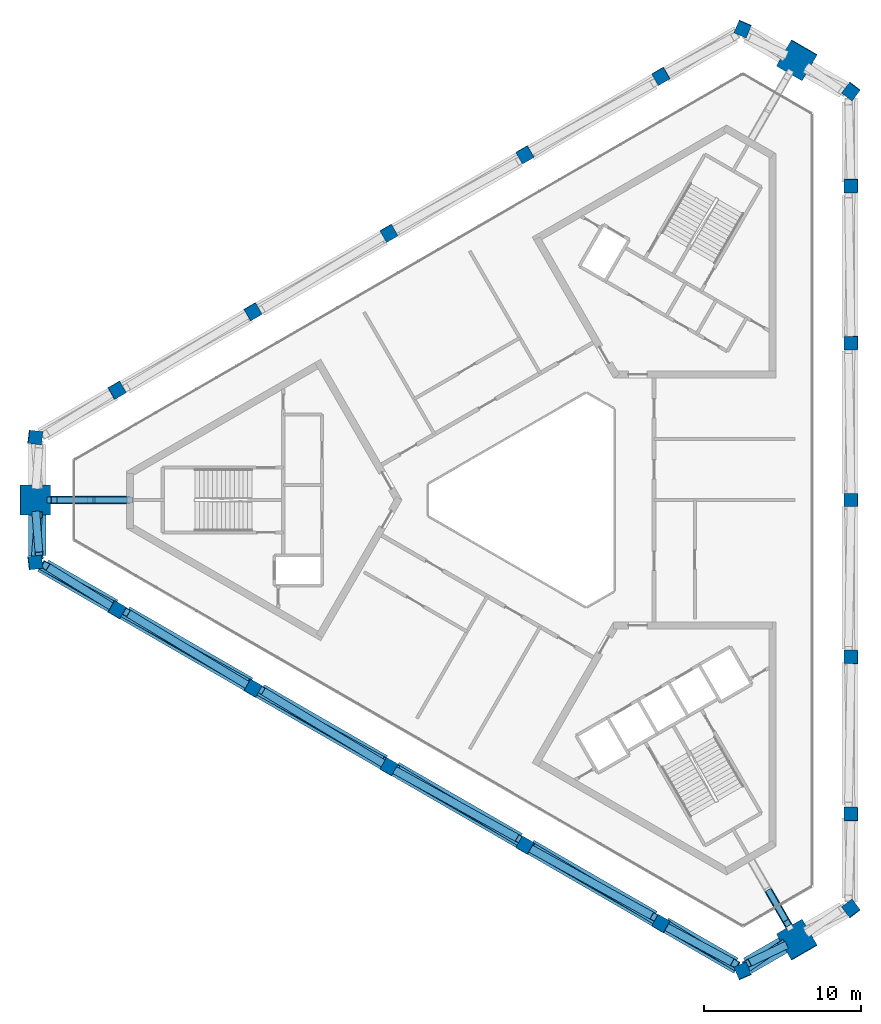
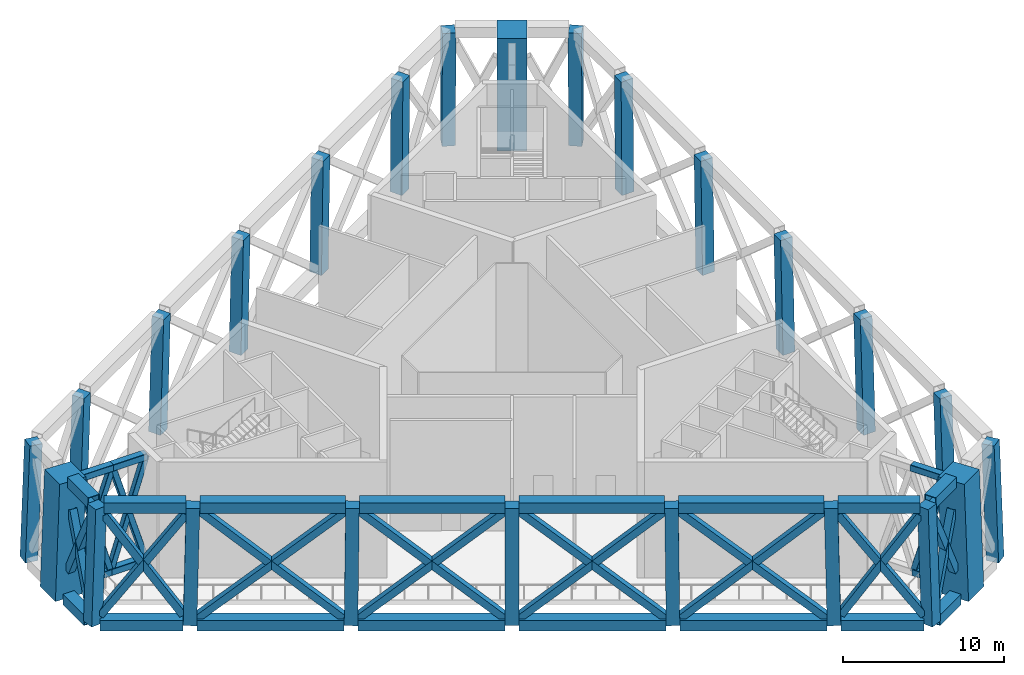
# One storey, part 1 of 8: 43 members, 24 columns.
"""IFC4 building model written with IfcOpenShell, lengths in metres."""

from ifc_helpers import new_model, si_unit, direction, frame, origin, origin_2d, place, context, subcontext, project, spatial, rectangle, hollow_rectangle, extrude, material, material_profile, profile_set, type_object, element, save


model = new_model("IFC4")

# Units and contexts
model_context = context("Model", 3, precision=1e-05, world=origin(), true_north=direction((0.0, 1.0)))
body_context = subcontext(model_context, "Body", "Model", "MODEL_VIEW")
ifc_project = project(units=[si_unit("LENGTHUNIT", "METRE"), si_unit("AREAUNIT", "SQUARE_METRE"), si_unit("VOLUMEUNIT", "CUBIC_METRE"), si_unit("PLANEANGLEUNIT", "RADIAN"), si_unit("MASSUNIT", "GRAM", prefix="KILO")], contexts=[model_context])

# Site, building, storey
site_placement = place(None, origin())
site = spatial("IfcSite", under=ifc_project, at=site_placement, CompositionType="ELEMENT")
building_placement = place(site_placement, origin())
building = spatial("IfcBuilding", under=site, at=building_placement, Name="Jabali Bay Hotel Tower and Convention Centre", CompositionType="ELEMENT")
storey_placement = place(building_placement, frame((0.0, 0.0, 246.5)))
storey = spatial("IfcBuildingStorey", under=building, at=storey_placement, Name="L61", CompositionType="ELEMENT", Elevation=246.5)

# Columns
ifc_material_1 = material(Name="Concrete C60", Category="concrete")
ifc_material_profile_1 = material_profile(ifc_material_1, rectangle(XDim=0.85009765625, YDim=0.85009765625, at=origin_2d()), Name="Frame column 850")
ifc_profile_set_1 = profile_set([ifc_material_profile_1], Name="Concrete C60")
column_type_1 = type_object("IfcColumnType", Name="Frame column 850", PredefinedType="COLUMN", material=ifc_profile_set_1)
column_1_placement = place(storey_placement, frame((82.534912109375, 107.07373046875, 0.0), z_axis=(-0.008374802331, -0.02814710055, 0.999568708702), x_axis=(0.865902471611, 0.499757980356, 0.021327698613)))
element("IfcColumn", 1, at=column_1_placement, inside=storey, type_object=column_type_1, Name="FC5 F1.1 L61", PredefinedType="COLUMN", context=body_context, shape_type="SweptSolid", body=[
    extrude(rectangle(XDim=0.85009765625, YDim=0.85009765625, at=origin_2d()), origin(), (0.0, 0.0, 1.0), 8.803955078125),
])
column_2_placement = place(storey_placement, frame((73.84765625, 102.05810546875, 0.0), z_axis=(0.0008598122, -0.022798891243, 0.999739701763), x_axis=(0.865987255057, 0.499952509757, 0.010656550371)))
element("IfcColumn", 2, at=column_2_placement, inside=storey, type_object=column_type_1, Name="FC5 F1.2 L61", PredefinedType="COLUMN", context=body_context, shape_type="SweptSolid", body=[
    extrude(rectangle(XDim=0.85009765625, YDim=0.85009765625, at=origin_2d()), origin(), (0.0, 0.0, 1.0), 8.80224609375),
])
column_3_placement = place(storey_placement, frame((65.160400390625, 97.04248046875, 0.0), z_axis=(0.010096431238, -0.017474592527, 0.999796329605), x_axis=(-0.500171958309, 0.865690887565, 0.020181657705)))
element("IfcColumn", 3, at=column_3_placement, inside=storey, type_object=column_type_1, Name="FC5 F1.3 L61", PredefinedType="COLUMN", context=body_context, shape_type="SweptSolid", body=[
    extrude(rectangle(XDim=0.85009765625, YDim=0.85009765625, at=origin_2d()), origin(), (0.0, 0.0, 1.0), 8.8017578125),
])
column_4_placement = place(storey_placement, frame((56.47314453125, 92.027099609375, 0.0), z_axis=(0.01933189907, -0.012148309602, 0.999739314148), x_axis=(-0.499946657419, 0.865820862871, 0.020188441064)))
element("IfcColumn", 4, at=column_4_placement, inside=storey, type_object=column_type_1, Name="FC5 F1.4 L61", PredefinedType="COLUMN", context=body_context, shape_type="SweptSolid", body=[
    extrude(rectangle(XDim=0.85009765625, YDim=0.85009765625, at=origin_2d()), origin(), (0.0, 0.0, 1.0), 8.80224609375),
])
for number, where, z_axis, x_axis, name in (
    (5, (47.785888671875, 87.011474609375, 0.0), (0.028563067696, -0.006821858887, 0.999568713699), (-0.499619448247, 0.866009748921, 0.020187166873), "FC5 F1.5 L61"),
    (6, (47.785888671875, 72.988525390625, 0.0), (0.028563067696, 0.006821858887, 0.999568713699), (-0.865773964783, 0.499980576638, 0.021327561711), "FC5 F2.1 L61"),
):
    element("IfcColumn", number, at=place(storey_placement, frame(where, z_axis=z_axis, x_axis=x_axis)), inside=storey, type_object=column_type_1, Name=name, PredefinedType="COLUMN", context=body_context, shape_type="SweptSolid", body=[
        extrude(rectangle(XDim=0.85009765625, YDim=0.85009765625, at=origin_2d()), origin(), (0.0, 0.0, 1.0), 8.803955078125),
    ])
column_5_placement = place(storey_placement, frame((56.47314453125, 67.972900390625, 0.0), z_axis=(0.01933189907, 0.012148309602, 0.999739314148), x_axis=(-0.865840411054, 0.500206609303, 0.010664454755)))
element("IfcColumn", 7, at=column_5_placement, inside=storey, type_object=column_type_1, Name="FC5 F2.2 L61", PredefinedType="COLUMN", context=body_context, shape_type="SweptSolid", body=[
    extrude(rectangle(XDim=0.85009765625, YDim=0.85009765625, at=origin_2d()), origin(), (0.0, 0.0, 1.0), 8.80224609375),
])
column_6_placement = place(storey_placement, frame((65.160400390625, 62.95751953125, 0.0), z_axis=(0.010096431238, 0.017474592527, 0.999796329605), x_axis=(-0.865867238205, 0.500273850809, 8.7355e-08)))
element("IfcColumn", 8, at=column_6_placement, inside=storey, type_object=column_type_1, Name="FC5 F2.3 L61", PredefinedType="COLUMN", context=body_context, shape_type="SweptSolid", body=[
    extrude(rectangle(XDim=0.85009765625, YDim=0.85009765625, at=origin_2d()), origin(), (0.0, 0.0, 1.0), 8.8017578125),
])
column_7_placement = place(storey_placement, frame((73.84765625, 57.94189453125, 0.0), z_axis=(0.0008598122, 0.022798891243, 0.999739701763), x_axis=(-0.500065330533, -0.86575267747, 0.020173414513)))
element("IfcColumn", 9, at=column_7_placement, inside=storey, type_object=column_type_1, Name="FC5 F2.4 L61", PredefinedType="COLUMN", context=body_context, shape_type="SweptSolid", body=[
    extrude(rectangle(XDim=0.85009765625, YDim=0.85009765625, at=origin_2d()), origin(), (0.0, 0.0, 1.0), 8.80224609375),
])
for number, where, z_axis, x_axis, name in (
    (10, (82.534912109375, 52.92626953125, 0.0), (-0.008374802331, 0.02814710055, 0.999568708702), (-0.500142751965, -0.865707630671, 0.020187269636), "FC5 F2.5 L61"),
    (11, (94.67919921875, 59.937744140625, 0.0), (-0.020188265874, 0.021325242386, 0.999568740987), (-0.000134843786, -0.999772547412, 0.021326867046), "FC5 F0.1 L61"),
):
    element("IfcColumn", number, at=place(storey_placement, frame(where, z_axis=z_axis, x_axis=x_axis)), inside=storey, type_object=column_type_1, Name=name, PredefinedType="COLUMN", context=body_context, shape_type="SweptSolid", body=[
        extrude(rectangle(XDim=0.85009765625, YDim=0.85009765625, at=origin_2d()), origin(), (0.0, 0.0, 1.0), 8.803955078125),
    ])
column_8_placement = place(storey_placement, frame((94.67919921875, 69.96875, 0.0), z_axis=(-0.020191706618, 0.010678306385, 0.999739100344), x_axis=(-0.000575814257, -0.99994292037, 0.010668853699)))
element("IfcColumn", 12, at=column_8_placement, inside=storey, type_object=column_type_1, Name="FC5 F0.2 L61", PredefinedType="COLUMN", context=body_context, shape_type="SweptSolid", body=[
    extrude(rectangle(XDim=0.85009765625, YDim=0.85009765625, at=origin_2d()), origin(), (0.0, 0.0, 1.0), 8.80224609375),
])
column_9_placement = place(storey_placement, frame((94.67919921875, 80.0, 0.0), z_axis=(-0.020192857909, 0.0, 0.999796103458), x_axis=(0.0, -1.0, 0.0)))
element("IfcColumn", 13, at=column_9_placement, inside=storey, type_object=column_type_1, Name="FC5 F0.3 L61", PredefinedType="COLUMN", context=body_context, shape_type="SweptSolid", body=[
    extrude(rectangle(XDim=0.85009765625, YDim=0.85009765625, at=origin_2d()), origin(), (0.0, 0.0, 1.0), 8.8017578125),
])
column_10_placement = place(storey_placement, frame((94.67919921875, 90.03125, 0.0), z_axis=(-0.020191706618, -0.010678306385, 0.999739100344), x_axis=(0.999795960895, 0.000360241664, 0.020196702804)))
element("IfcColumn", 14, at=column_10_placement, inside=storey, type_object=column_type_1, Name="FC5 F0.4 L61", PredefinedType="COLUMN", context=body_context, shape_type="SweptSolid", body=[
    extrude(rectangle(XDim=0.85009765625, YDim=0.85009765625, at=origin_2d()), origin(), (0.0, 0.0, 1.0), 8.80224609375),
])
column_11_placement = place(storey_placement, frame((94.67919921875, 100.062255859375, 0.0), z_axis=(-0.020188265874, -0.021325242386, 0.999568740987), x_axis=(0.999796187099, -0.000295766828, 0.020186549577)))
element("IfcColumn", 15, at=column_11_placement, inside=storey, type_object=column_type_1, Name="FC5 F0.5 L61", PredefinedType="COLUMN", context=body_context, shape_type="SweptSolid", body=[
    extrude(rectangle(XDim=0.85009765625, YDim=0.85009765625, at=origin_2d()), origin(), (0.0, 0.0, 1.0), 8.803955078125),
])
for number, where, z_axis, x_axis, name in (
    (16, (94.67919921875, 53.898193359375, 0.0), (-0.020184364346, 0.029001160859, 0.999375567094), (-0.798381371358, -0.602150617228, 0.001349088841), "FC5 V0 L61"),
    (17, (94.67919921875, 106.101806640625, 0.0), (-0.020184364346, -0.029001160859, 0.999375567094), (0.60181373971, 0.797855605258, 0.035308014027), "FC5 V1 L61"),
    (18, (87.76513671875, 110.093505859375, 0.0), (-0.015027375513, -0.031967830196, 0.999375923173), (0.920569077031, -0.390577464171, 0.001348664823), "FC5 V2 L61"),
    (19, (42.5556640625, 83.99169921875, 0.0), (0.035211731134, -0.002966657663, 0.999375471448), (-0.991915578341, 0.121887812095, 0.035310716615), "FC5 V3 L61"),
    (20, (42.5556640625, 76.00830078125, 0.0), (0.035211731134, 0.002966657663, 0.999375471448), (-0.121916444484, 0.992539450201, 0.001349206917), "FC5 V4 L61"),
    (21, (87.76513671875, 49.906494140625, 0.0), (-0.015027375513, 0.031967830196, 0.999375923173), (0.390290599939, -0.920014838095, 0.035297950159), "FC5 V5 L61"),
):
    element("IfcColumn", number, at=place(storey_placement, frame(where, z_axis=z_axis, x_axis=x_axis)), inside=storey, type_object=column_type_1, Name=name, PredefinedType="COLUMN", context=body_context, shape_type="SweptSolid", body=[
        extrude(rectangle(XDim=0.85009765625, YDim=0.85009765625, at=origin_2d()), origin(), (0.0, 0.0, 1.0), 8.8056640625),
    ])
ifc_material_2 = material(Name="Concrete C70", Category="concrete")
ifc_material_profile_2 = material_profile(ifc_material_2, rectangle(XDim=1.89990234375, YDim=1.89990234375, at=origin_2d()), Name="Mega column 1900")
ifc_profile_set_2 = profile_set([ifc_material_profile_2], Name="Concrete C70")
column_type_2 = type_object("IfcColumnType", Name="Mega column 1900", PredefinedType="COLUMN", material=ifc_profile_set_2)
for number, where, z_axis, x_axis, name in (
    (22, (91.22216796875, 108.09765625, 0.0), (-0.017605940844, -0.030498480201, 0.999379744418), (0.499639989425, 0.865517044615, 0.035215429113), "MC5 M1 L61"),
    (23, (42.5556640625, 80.0, 0.0), (0.035211886086, 0.0, 0.999379869258), (0.0, 1.0, 0.0), "MC5 M0 L61"),
    (24, (91.22216796875, 51.90234375, 0.0), (-0.017605940844, 0.030498480201, 0.999379744418), (-0.866054219904, -0.499950085695, 1.8439e-08), "MC5 M2 L61"),
):
    element("IfcColumn", number, at=place(storey_placement, frame(where, z_axis=z_axis, x_axis=x_axis)), inside=storey, type_object=column_type_2, Name=name, PredefinedType="COLUMN", context=body_context, shape_type="SweptSolid", body=[
        extrude(rectangle(XDim=1.89990234375, YDim=1.89990234375, at=origin_2d()), origin(), (0.0, 0.0, 1.0), 8.805419921875),
    ])

# Members
ifc_material_3 = material(Name="Steel Q420GJC", Category="steel")
ifc_material_profile_3 = material_profile(ifc_material_3, hollow_rectangle(XDim=0.5, YDim=0.5, WallThickness=0.030029296875, at=origin_2d()), Name="Belt brace 500x500x30")
ifc_profile_set_3 = profile_set([ifc_material_profile_3], Name="Steel Q420GJC")
member_type_1 = type_object("IfcMemberType", Name="Belt brace 500x500x30", PredefinedType="BRACE", material=ifc_profile_set_3)
member_1_placement = place(storey_placement, frame((42.629638671875, 79.052978515625, 2.101806640625), z_axis=(0.032106794787, -0.410626973528, 0.911237972398), x_axis=(0.996957131511, 0.077951766681, 0.0)))
element("IfcMember", 25, at=member_1_placement, inside=storey, type_object=member_type_1, Name="Belt brace T5 M0-V4 x1", PredefinedType="BRACE", context=body_context, shape_type="SweptSolid", body=[
    extrude(hollow_rectangle(XDim=0.5, YDim=0.5, WallThickness=0.030029296875, at=origin_2d()), origin(), (0.0, 0.0, 1.0), 6.31884765625),
])
member_2_placement = place(storey_placement, frame((42.588623046875, 76.431884765625, 0.93408203125), z_axis=(0.032076559205, 0.412879931728, 0.910220443808), x_axis=(-0.996995740309, 0.077456399387, 0.0)))
element("IfcMember", 26, at=member_2_placement, inside=storey, type_object=member_type_1, Name="Belt brace T5 M0-V4 x2", PredefinedType="BRACE", context=body_context, shape_type="SweptSolid", body=[
    extrude(hollow_rectangle(XDim=0.5, YDim=0.5, WallThickness=0.030029296875, at=origin_2d()), origin(), (0.0, 0.0, 1.0), 6.34765625),
])
member_3_placement = place(storey_placement, frame((42.9296875, 75.806396484375, 0.600341796875), z_axis=(0.50840519823, -0.274511012444, 0.816191067373), x_axis=(0.475111669279, 0.879925509185, 0.0)))
element("IfcMember", 27, at=member_3_placement, inside=storey, type_object=member_type_1, Name="Belt brace T5 V4-F2.1 x1", PredefinedType="BRACE", context=body_context, shape_type="SweptSolid", body=[
    extrude(hollow_rectangle(XDim=0.5, YDim=0.5, WallThickness=0.030029296875, at=origin_2d()), origin(), (0.0, 0.0, 1.0), 9.310791015625),
])
member_4_placement = place(storey_placement, frame((47.424560546875, 73.212158203125, 0.646240234375), z_axis=(-0.467153142955, 0.289209448823, 0.835539248473), x_axis=(-0.526380151701, -0.850249337486, 0.0)))
element("IfcMember", 28, at=member_4_placement, inside=storey, type_object=member_type_1, Name="Belt brace T5 V4-F2.1 x2", PredefinedType="BRACE", context=body_context, shape_type="SweptSolid", body=[
    extrude(hollow_rectangle(XDim=0.5, YDim=0.5, WallThickness=0.030029296875, at=origin_2d()), origin(), (0.0, 0.0, 1.0), 8.9853515625),
])
member_5_placement = place(storey_placement, frame((48.15771484375, 72.782470703125, 0.369384765625), z_axis=(0.660208909059, -0.365882159446, 0.655937833791), x_axis=(0.484730960449, 0.874663304353, 0.0)))
element("IfcMember", 29, at=member_5_placement, inside=storey, type_object=member_type_1, Name="Belt brace T5 F2.1-F2.2 x1", PredefinedType="BRACE", context=body_context, shape_type="SweptSolid", body=[
    extrude(hollow_rectangle(XDim=0.5, YDim=0.5, WallThickness=0.030029296875, at=origin_2d()), origin(), (0.0, 0.0, 1.0), 12.289794921875),
])
member_6_placement = place(storey_placement, frame((56.109130859375, 68.192138671875, 0.3798828125), z_axis=(-0.638851655852, 0.384363267382, 0.666433372891), x_axis=(-0.515533156982, -0.856869630721, 0.0)))
element("IfcMember", 30, at=member_6_placement, inside=storey, type_object=member_type_1, Name="Belt brace T5 F2.1-F2.2 x2", PredefinedType="BRACE", context=body_context, shape_type="SweptSolid", body=[
    extrude(hollow_rectangle(XDim=0.5, YDim=0.5, WallThickness=0.030029296875, at=origin_2d()), origin(), (0.0, 0.0, 1.0), 12.064697265625),
])
member_7_placement = place(storey_placement, frame((56.844970703125, 67.76708984375, 0.372802734375), z_axis=(0.657611695837, -0.364313801405, 0.65941057893), x_axis=(0.484599676243, 0.874736048065, 0.0)))
element("IfcMember", 31, at=member_7_placement, inside=storey, type_object=member_type_1, Name="Belt brace T5 F2.2-F2.3 x1", PredefinedType="BRACE", context=body_context, shape_type="SweptSolid", body=[
    extrude(hollow_rectangle(XDim=0.5, YDim=0.5, WallThickness=0.030029296875, at=origin_2d()), origin(), (0.0, 0.0, 1.0), 12.214599609375),
])
member_8_placement = place(storey_placement, frame((64.796142578125, 63.176513671875, 0.376220703125), z_axis=(-0.641595044555, 0.385878130521, 0.662913167156), x_axis=(-0.515400084535, -0.856949679305, 0.0)))
element("IfcMember", 32, at=member_8_placement, inside=storey, type_object=member_type_1, Name="Belt brace T5 F2.2-F2.3 x2", PredefinedType="BRACE", context=body_context, shape_type="SweptSolid", body=[
    extrude(hollow_rectangle(XDim=0.5, YDim=0.5, WallThickness=0.030029296875, at=origin_2d()), origin(), (0.0, 0.0, 1.0), 12.139404296875),
])
member_9_placement = place(storey_placement, frame((65.5322265625, 62.75146484375, 0.376220703125), z_axis=(0.654981674463, -0.362705554499, 0.662905488628), x_axis=(0.484445116606, 0.874821655537, 0.0)))
element("IfcMember", 33, at=member_9_placement, inside=storey, type_object=member_type_1, Name="Belt brace T5 F2.3-F2.4 x1", PredefinedType="BRACE", context=body_context, shape_type="SweptSolid", body=[
    extrude(hollow_rectangle(XDim=0.5, YDim=0.5, WallThickness=0.030029296875, at=origin_2d()), origin(), (0.0, 0.0, 1.0), 12.1396484375),
])
member_10_placement = place(storey_placement, frame((73.4833984375, 58.160888671875, 0.372802734375), z_axis=(-0.644302497004, 0.387361017277, 0.659413174458), x_axis=(-0.515257976218, -0.857035132269, 0.0)))
element("IfcMember", 34, at=member_10_placement, inside=storey, type_object=member_type_1, Name="Belt brace T5 F2.3-F2.4 x2", PredefinedType="BRACE", context=body_context, shape_type="SweptSolid", body=[
    extrude(hollow_rectangle(XDim=0.5, YDim=0.5, WallThickness=0.030029296875, at=origin_2d()), origin(), (0.0, 0.0, 1.0), 12.214599609375),
])
member_11_placement = place(storey_placement, frame((74.219482421875, 57.736083984375, 0.3798828125), z_axis=(0.652304487761, -0.36106930278, 0.666429151401), x_axis=(0.484287316852, 0.874909020834, 0.0)))
element("IfcMember", 35, at=member_11_placement, inside=storey, type_object=member_type_1, Name="Belt brace T5 F2.4-F2.5 x1", PredefinedType="BRACE", context=body_context, shape_type="SweptSolid", body=[
    extrude(hollow_rectangle(XDim=0.5, YDim=0.5, WallThickness=0.030029296875, at=origin_2d()), origin(), (0.0, 0.0, 1.0), 12.064697265625),
])
member_12_placement = place(storey_placement, frame((82.170654296875, 53.145263671875, 0.369384765625), z_axis=(-0.646976424027, 0.38880565497, 0.655935720491), x_axis=(-0.515099397878, -0.85713045116, 0.0)))
element("IfcMember", 36, at=member_12_placement, inside=storey, type_object=member_type_1, Name="Belt brace T5 F2.4-F2.5 x2", PredefinedType="BRACE", context=body_context, shape_type="SweptSolid", body=[
    extrude(hollow_rectangle(XDim=0.5, YDim=0.5, WallThickness=0.030029296875, at=origin_2d()), origin(), (0.0, 0.0, 1.0), 12.289794921875),
])
member_13_placement = place(storey_placement, frame((82.909423828125, 52.72509765625, 0.646240234375), z_axis=(0.484027977308, -0.259974160036, 0.835541951847), x_axis=(0.473173550566, 0.880969233881, 0.0)))
element("IfcMember", 37, at=member_13_placement, inside=storey, type_object=member_type_1, Name="Belt brace T5 F2.5-V5 x1", PredefinedType="BRACE", context=body_context, shape_type="SweptSolid", body=[
    extrude(hollow_rectangle(XDim=0.5, YDim=0.5, WallThickness=0.030029296875, at=origin_2d()), origin(), (0.0, 0.0, 1.0), 8.9853515625),
])
member_14_placement = place(storey_placement, frame((87.4033203125, 50.12939453125, 0.600341796875), z_axis=(-0.491933269791, 0.303062988766, 0.81618287345), x_axis=(-0.524517674968, -0.851399558754, 0.0)))
element("IfcMember", 38, at=member_14_placement, inside=storey, type_object=member_type_1, Name="Belt brace T5 F2.5-V5 x2", PredefinedType="BRACE", context=body_context, shape_type="SweptSolid", body=[
    extrude(hollow_rectangle(XDim=0.5, YDim=0.5, WallThickness=0.030029296875, at=origin_2d()), origin(), (0.0, 0.0, 1.0), 9.310791015625),
])
member_15_placement = place(storey_placement, frame((88.11572265625, 50.14697265625, 0.93408203125), z_axis=(0.341535966466, 0.234190596825, 0.910224119637), x_axis=(-0.565519330962, 0.824735040063, 0.0)))
element("IfcMember", 39, at=member_15_placement, inside=storey, type_object=member_type_1, Name="Belt brace T5 V5-M2 x1", PredefinedType="BRACE", context=body_context, shape_type="SweptSolid", body=[
    extrude(hollow_rectangle(XDim=0.5, YDim=0.5, WallThickness=0.030029296875, at=origin_2d()), origin(), (0.0, 0.0, 1.0), 6.34765625),
])
member_16_placement = place(storey_placement, frame((90.364990234375, 51.492919921875, 2.101806640625), z_axis=(-0.371680356969, -0.177494756748, 0.911235053963), x_axis=(0.430930993462, -0.902384884001, 0.0)))
element("IfcMember", 40, at=member_16_placement, inside=storey, type_object=member_type_1, Name="Belt brace T5 V5-M2 x2", PredefinedType="BRACE", context=body_context, shape_type="SweptSolid", body=[
    extrude(hollow_rectangle(XDim=0.5, YDim=0.5, WallThickness=0.030029296875, at=origin_2d()), origin(), (0.0, 0.0, 1.0), 6.31884765625),
])
ifc_material_profile_4 = material_profile(ifc_material_3, hollow_rectangle(XDim=0.800048828125, YDim=0.800048828125, WallThickness=0.0400390625, at=origin_2d()), Name="Belt chord 800x800x40")
ifc_profile_set_4 = profile_set([ifc_material_profile_4], Name="Steel Q420GJC")
member_type_2 = type_object("IfcMemberType", Name="Belt chord 800x800x40", PredefinedType="CHORD", material=ifc_profile_set_4)
member_17_placement = place(storey_placement, frame((42.5556640625, 79.050048828125, 0.0), z_axis=(0.0, -1.0, 0.0), x_axis=(1.0, 0.0, 0.0)))
element("IfcMember", 41, at=member_17_placement, inside=storey, type_object=member_type_2, Name="Belt chord T5 M0-V4", PredefinedType="CHORD", context=body_context, shape_type="SweptSolid", body=[
    extrude(hollow_rectangle(XDim=0.800048828125, YDim=0.800048828125, WallThickness=0.0400390625, at=origin_2d()), origin(), (0.0, 0.0, 1.0), 2.61669921875),
])
member_18_placement = place(storey_placement, frame((42.923828125, 75.795654296875, 0.0), z_axis=(0.866042999663, -0.499969521807, 0.0), x_axis=(0.499969521807, 0.866042999663, 0.0)))
element("IfcMember", 42, at=member_18_placement, inside=storey, type_object=member_type_2, Name="Belt chord T5 V4-F2.1", PredefinedType="CHORD", context=body_context, shape_type="SweptSolid", body=[
    extrude(hollow_rectangle(XDim=0.800048828125, YDim=0.800048828125, WallThickness=0.0400390625, at=origin_2d()), origin(), (0.0, 0.0, 1.0), 5.189208984375),
])
for number, where, z_axis, x_axis, name in (
    (43, (48.154052734375, 72.776123046875, 0.0), (0.866027056866, -0.499997136768, 0.0), (0.499997136768, 0.866027056866, 0.0), "Belt chord T5 F2.1-F2.2"),
    (44, (56.84130859375, 67.760498046875, 0.0), (0.866027056866, -0.499997136768, 0.0), (0.499997136768, 0.866027056866, 0.0), "Belt chord T5 F2.2-F2.3"),
    (45, (65.528564453125, 62.744873046875, 0.0), (0.866027056866, -0.499997136768, 0.0), (0.499997136768, 0.866027056866, 0.0), "Belt chord T5 F2.3-F2.4"),
):
    element("IfcMember", number, at=place(storey_placement, frame(where, z_axis=z_axis, x_axis=x_axis)), inside=storey, type_object=member_type_2, Name=name, PredefinedType="CHORD", context=body_context, shape_type="SweptSolid", body=[
        extrude(hollow_rectangle(XDim=0.800048828125, YDim=0.800048828125, WallThickness=0.0400390625, at=origin_2d()), origin(), (0.0, 0.0, 1.0), 9.18115234375),
    ])
member_19_placement = place(storey_placement, frame((74.2158203125, 57.729248046875, 0.0), z_axis=(0.866020408875, -0.500008651337, 0.0), x_axis=(0.500008651337, 0.866020408875, 0.0)))
element("IfcMember", 46, at=member_19_placement, inside=storey, type_object=member_type_2, Name="Belt chord T5 F2.4-F2.5", PredefinedType="CHORD", context=body_context, shape_type="SweptSolid", body=[
    extrude(hollow_rectangle(XDim=0.800048828125, YDim=0.800048828125, WallThickness=0.0400390625, at=origin_2d()), origin(), (0.0, 0.0, 1.0), 9.180908203125),
])
member_20_placement = place(storey_placement, frame((82.903076171875, 52.7138671875, 0.0), z_axis=(0.866022628259, -0.50000480732, 0.0), x_axis=(0.50000480732, 0.866022628259, 0.0)))
element("IfcMember", 47, at=member_20_placement, inside=storey, type_object=member_type_2, Name="Belt chord T5 F2.5-V5", PredefinedType="CHORD", context=body_context, shape_type="SweptSolid", body=[
    extrude(hollow_rectangle(XDim=0.800048828125, YDim=0.800048828125, WallThickness=0.0400390625, at=origin_2d()), origin(), (0.0, 0.0, 1.0), 5.189453125),
])
member_21_placement = place(storey_placement, frame((88.13330078125, 50.119140625, 0.0), z_axis=(0.86602399778, 0.500002435262, 0.0), x_axis=(-0.500002435262, 0.86602399778, 0.0)))
element("IfcMember", 48, at=member_21_placement, inside=storey, type_object=member_type_2, Name="Belt chord T5 V5-M2", PredefinedType="CHORD", context=body_context, shape_type="SweptSolid", body=[
    extrude(hollow_rectangle(XDim=0.800048828125, YDim=0.800048828125, WallThickness=0.0400390625, at=origin_2d()), origin(), (0.0, 0.0, 1.0), 2.61669921875),
])
member_22_placement = place(storey_placement, frame((42.86572265625, 79.050048828125, 8.800048828125), z_axis=(0.0, -1.0, 0.0), x_axis=(1.0, 0.0, 0.0)))
element("IfcMember", 49, at=member_22_placement, inside=storey, type_object=member_type_2, Name="Belt chord T5 M0-V4", PredefinedType="CHORD", context=body_context, shape_type="SweptSolid", body=[
    extrude(hollow_rectangle(XDim=0.800048828125, YDim=0.800048828125, WallThickness=0.0400390625, at=origin_2d()), origin(), (0.0, 0.0, 1.0), 2.590576171875),
])
member_23_placement = place(storey_placement, frame((43.23388671875, 75.822021484375, 8.800048828125), z_axis=(0.866010948798, -0.500025035936, 0.0), x_axis=(0.500025035936, 0.866010948798, 0.0)))
element("IfcMember", 50, at=member_23_placement, inside=storey, type_object=member_type_2, Name="Belt chord T5 V4-F2.1", PredefinedType="CHORD", context=body_context, shape_type="SweptSolid", body=[
    extrude(hollow_rectangle(XDim=0.800048828125, YDim=0.800048828125, WallThickness=0.0400390625, at=origin_2d()), origin(), (0.0, 0.0, 1.0), 5.121826171875),
])
member_24_placement = place(storey_placement, frame((48.405517578125, 72.836181640625, 8.800048828125), z_axis=(0.86602407674, -0.500002298502, 0.0), x_axis=(0.500002298502, 0.86602407674, 0.0)))
element("IfcMember", 51, at=member_24_placement, inside=storey, type_object=member_type_2, Name="Belt chord T5 F2.1-F2.2", PredefinedType="CHORD", context=body_context, shape_type="SweptSolid", body=[
    extrude(hollow_rectangle(XDim=0.800048828125, YDim=0.800048828125, WallThickness=0.0400390625, at=origin_2d()), origin(), (0.0, 0.0, 1.0), 9.08740234375),
])
member_25_placement = place(storey_placement, frame((57.011474609375, 67.867431640625, 8.800048828125), z_axis=(0.866017359955, -0.500013932063, 0.0), x_axis=(0.500013932063, 0.866017359955, 0.0)))
element("IfcMember", 52, at=member_25_placement, inside=storey, type_object=member_type_2, Name="Belt chord T5 F2.2-F2.3", PredefinedType="CHORD", context=body_context, shape_type="SweptSolid", body=[
    extrude(hollow_rectangle(XDim=0.800048828125, YDim=0.800048828125, WallThickness=0.0400390625, at=origin_2d()), origin(), (0.0, 0.0, 1.0), 9.087158203125),
])
member_26_placement = place(storey_placement, frame((65.617431640625, 62.898681640625, 8.800048828125), z_axis=(0.866028993663, -0.499993782096, 0.0), x_axis=(0.499993782096, 0.866028993663, 0.0)))
element("IfcMember", 53, at=member_26_placement, inside=storey, type_object=member_type_2, Name="Belt chord T5 F2.3-F2.4", PredefinedType="CHORD", context=body_context, shape_type="SweptSolid", body=[
    extrude(hollow_rectangle(XDim=0.800048828125, YDim=0.800048828125, WallThickness=0.0400390625, at=origin_2d()), origin(), (0.0, 0.0, 1.0), 9.0869140625),
])
member_27_placement = place(storey_placement, frame((74.223388671875, 57.93017578125, 8.800048828125), z_axis=(0.866017359955, -0.500013932063, 0.0), x_axis=(0.500013932063, 0.866017359955, 0.0)))
element("IfcMember", 54, at=member_27_placement, inside=storey, type_object=member_type_2, Name="Belt chord T5 F2.4-F2.5", PredefinedType="CHORD", context=body_context, shape_type="SweptSolid", body=[
    extrude(hollow_rectangle(XDim=0.800048828125, YDim=0.800048828125, WallThickness=0.0400390625, at=origin_2d()), origin(), (0.0, 0.0, 1.0), 9.087158203125),
])
member_28_placement = place(storey_placement, frame((82.829345703125, 52.96142578125, 8.800048828125), z_axis=(0.866031589583, -0.49998928573, 0.0), x_axis=(0.49998928573, 0.866031589583, 0.0)))
element("IfcMember", 55, at=member_28_placement, inside=storey, type_object=member_type_2, Name="Belt chord T5 F2.5-V5", PredefinedType="CHORD", context=body_context, shape_type="SweptSolid", body=[
    extrude(hollow_rectangle(XDim=0.800048828125, YDim=0.800048828125, WallThickness=0.0400390625, at=origin_2d()), origin(), (0.0, 0.0, 1.0), 5.12158203125),
])
member_29_placement = place(storey_placement, frame((88.0009765625, 50.400634765625, 8.800048828125), z_axis=(0.866036488581, 0.499980800078, 0.0), x_axis=(-0.499980800078, 0.866036488581, 0.0)))
element("IfcMember", 56, at=member_29_placement, inside=storey, type_object=member_type_2, Name="Belt chord T5 V5-M2", PredefinedType="CHORD", context=body_context, shape_type="SweptSolid", body=[
    extrude(hollow_rectangle(XDim=0.800048828125, YDim=0.800048828125, WallThickness=0.0400390625, at=origin_2d()), origin(), (0.0, 0.0, 1.0), 2.59033203125),
])
ifc_material_profile_5 = material_profile(ifc_material_3, hollow_rectangle(XDim=0.39990234375, YDim=0.39990234375, WallThickness=0.011962890625, InnerFilletRadius=0.01806640625, OuterFilletRadius=0.030029296875, at=origin_2d()), Name="Outrigger brace 400x400x12")
ifc_profile_set_5 = profile_set([ifc_material_profile_5], Name="Steel Q420GJC")
member_type_3 = type_object("IfcMemberType", Name="Outrigger brace 400x400x12", PredefinedType="BRACE", material=ifc_profile_set_5)
member_30_placement = place(storey_placement, frame((48.621826171875, 80.0, 0.25), z_axis=(-0.292295122198, 0.0, 0.956328166237), x_axis=(0.0, -1.0, 0.0)))
element("IfcMember", 57, at=member_30_placement, inside=storey, type_object=member_type_3, Name="Outrigger brace T5 1.1x1", PredefinedType="BRACE", context=body_context, shape_type="SweptSolid", body=[
    extrude(hollow_rectangle(XDim=0.39990234375, YDim=0.39990234375, WallThickness=0.011962890625, InnerFilletRadius=0.01806640625, OuterFilletRadius=0.030029296875, at=origin_2d()), origin(), (0.0, 0.0, 1.0), 8.2607421875),
])
member_31_placement = place(storey_placement, frame((46.068115234375, 80.0, 0.25), z_axis=(0.307586962308, 0.0, 0.951519973841), x_axis=(0.0, 1.0, 0.0)))
element("IfcMember", 58, at=member_31_placement, inside=storey, type_object=member_type_3, Name="Outrigger brace T5 1.1x2", PredefinedType="BRACE", context=body_context, shape_type="SweptSolid", body=[
    extrude(hollow_rectangle(XDim=0.39990234375, YDim=0.39990234375, WallThickness=0.011962890625, InnerFilletRadius=0.01806640625, OuterFilletRadius=0.030029296875, at=origin_2d()), origin(), (0.0, 0.0, 1.0), 8.302490234375),
])
member_32_placement = place(storey_placement, frame((46.068115234375, 80.0, 0.25), z_axis=(-0.276775754721, 0.0, 0.960934535543), x_axis=(0.0, -1.0, 0.0)))
element("IfcMember", 59, at=member_32_placement, inside=storey, type_object=member_type_3, Name="Outrigger brace T5 1.2x1", PredefinedType="BRACE", context=body_context, shape_type="SweptSolid", body=[
    extrude(hollow_rectangle(XDim=0.39990234375, YDim=0.39990234375, WallThickness=0.011962890625, InnerFilletRadius=0.01806640625, OuterFilletRadius=0.030029296875, at=origin_2d()), origin(), (0.0, 0.0, 1.0), 8.220947265625),
])
member_33_placement = place(storey_placement, frame((43.5146484375, 80.0, 0.25), z_axis=(0.322617941391, 0.0, 0.946529272602), x_axis=(0.0, 1.0, 0.0)))
element("IfcMember", 60, at=member_33_placement, inside=storey, type_object=member_type_3, Name="Outrigger brace T5 1.2x2", PredefinedType="BRACE", context=body_context, shape_type="SweptSolid", body=[
    extrude(hollow_rectangle(XDim=0.39990234375, YDim=0.39990234375, WallThickness=0.011962890625, InnerFilletRadius=0.01806640625, OuterFilletRadius=0.030029296875, at=origin_2d()), origin(), (0.0, 0.0, 1.0), 8.34619140625),
])
member_34_placement = place(storey_placement, frame((89.4658203125, 54.9443359375, 0.25), z_axis=(0.138388228792, -0.239684848623, 0.960936975807), x_axis=(0.866015833478, 0.50001657589, 0.0)))
element("IfcMember", 61, at=member_34_placement, inside=storey, type_object=member_type_3, Name="Outrigger brace T5 3.2x1", PredefinedType="BRACE", context=body_context, shape_type="SweptSolid", body=[
    extrude(hollow_rectangle(XDim=0.39990234375, YDim=0.39990234375, WallThickness=0.011962890625, InnerFilletRadius=0.01806640625, OuterFilletRadius=0.030029296875, at=origin_2d()), origin(), (0.0, 0.0, 1.0), 8.220947265625),
])
ifc_material_profile_6 = material_profile(ifc_material_3, hollow_rectangle(XDim=0.5, YDim=0.5, WallThickness=0.01611328125, InnerFilletRadius=0.02392578125, OuterFilletRadius=0.0400390625, at=origin_2d()), Name="Outrigger chord 500x500x16")
ifc_profile_set_6 = profile_set([ifc_material_profile_6], Name="Steel Q420GJC")
member_type_4 = type_object("IfcMemberType", Name="Outrigger chord 500x500x16", PredefinedType="CHORD", material=ifc_profile_set_6)
member_35_placement = place(storey_placement, frame((48.621826171875, 80.0, 0.25), z_axis=(-1.0, 0.0, 0.0), x_axis=(0.0, -1.0, 0.0)))
element("IfcMember", 62, at=member_35_placement, inside=storey, type_object=member_type_4, Name="Outrigger chord T5 1.lo1", PredefinedType="CHORD", context=body_context, shape_type="SweptSolid", body=[
    extrude(hollow_rectangle(XDim=0.5, YDim=0.5, WallThickness=0.01611328125, InnerFilletRadius=0.02392578125, OuterFilletRadius=0.0400390625, at=origin_2d()), origin(), (0.0, 0.0, 1.0), 2.5537109375),
])
member_36_placement = place(storey_placement, frame((46.068115234375, 80.0, 0.25), z_axis=(-1.0, 0.0, 0.0), x_axis=(0.0, -1.0, 0.0)))
element("IfcMember", 63, at=member_36_placement, inside=storey, type_object=member_type_4, Name="Outrigger chord T5 1.lo2", PredefinedType="CHORD", context=body_context, shape_type="SweptSolid", body=[
    extrude(hollow_rectangle(XDim=0.5, YDim=0.5, WallThickness=0.01611328125, InnerFilletRadius=0.02392578125, OuterFilletRadius=0.0400390625, at=origin_2d()), origin(), (0.0, 0.0, 1.0), 2.553466796875),
])
for number, where, z_axis, x_axis, name in (
    (64, (48.621826171875, 80.0, 8.14990234375), (-1.0, 0.0, 0.0), (0.0, -1.0, 0.0), "Outrigger chord T5 1.hi1"),
    (65, (46.207275390625, 80.0, 8.14990234375), (-1.0, 0.0, 0.0), (0.0, -1.0, 0.0), "Outrigger chord T5 1.hi2"),
):
    element("IfcMember", number, at=place(storey_placement, frame(where, z_axis=z_axis, x_axis=x_axis)), inside=storey, type_object=member_type_4, Name=name, PredefinedType="CHORD", context=body_context, shape_type="SweptSolid", body=[
        extrude(hollow_rectangle(XDim=0.5, YDim=0.5, WallThickness=0.01611328125, InnerFilletRadius=0.02392578125, OuterFilletRadius=0.0400390625, at=origin_2d()), origin(), (0.0, 0.0, 1.0), 2.41455078125),
    ])
member_37_placement = place(storey_placement, frame((89.4658203125, 54.9443359375, 0.25), z_axis=(0.499984506476, -0.86603434879, 0.0), x_axis=(0.86603434879, 0.499984506476, 0.0)))
element("IfcMember", 66, at=member_37_placement, inside=storey, type_object=member_type_4, Name="Outrigger chord T5 3.lo2", PredefinedType="CHORD", context=body_context, shape_type="SweptSolid", body=[
    extrude(hollow_rectangle(XDim=0.5, YDim=0.5, WallThickness=0.01611328125, InnerFilletRadius=0.02392578125, OuterFilletRadius=0.0400390625, at=origin_2d()), origin(), (0.0, 0.0, 1.0), 2.5537109375),
])
member_38_placement = place(storey_placement, frame((89.396240234375, 55.06494140625, 8.14990234375), z_axis=(0.499999616612, -0.866025625133, 0.0), x_axis=(0.866025625133, 0.499999616612, 0.0)))
element("IfcMember", 67, at=member_38_placement, inside=storey, type_object=member_type_4, Name="Outrigger chord T5 3.hi2", PredefinedType="CHORD", context=body_context, shape_type="SweptSolid", body=[
    extrude(hollow_rectangle(XDim=0.5, YDim=0.5, WallThickness=0.01611328125, InnerFilletRadius=0.02392578125, OuterFilletRadius=0.0400390625, at=origin_2d()), origin(), (0.0, 0.0, 1.0), 2.41455078125),
])

save(model, "model.ifc")
